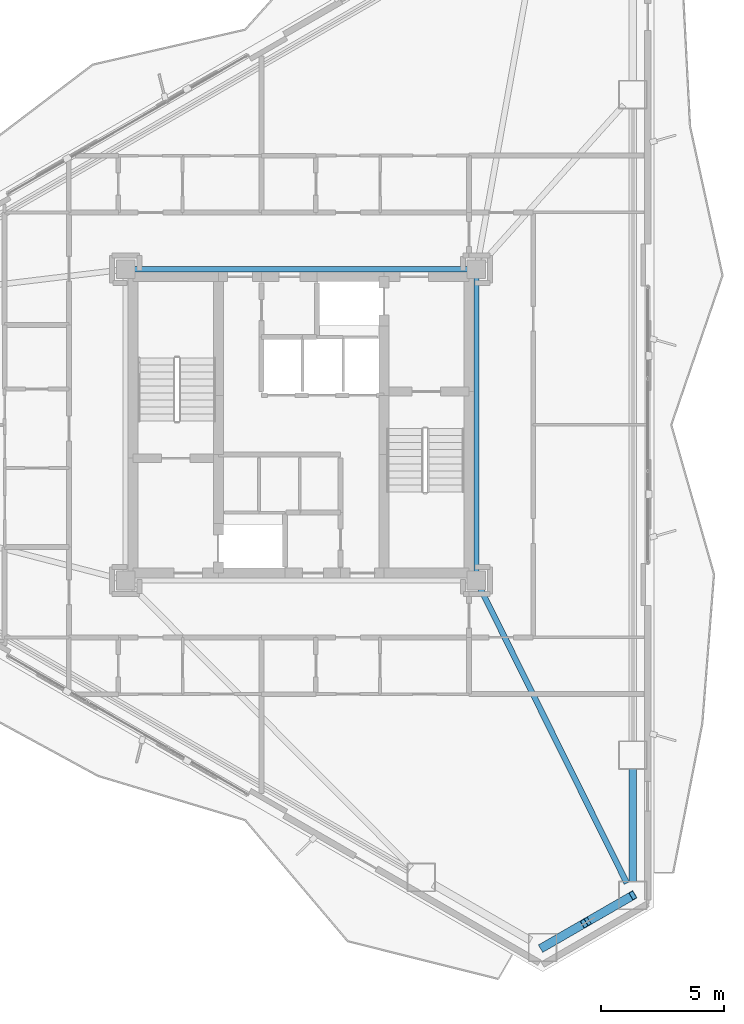
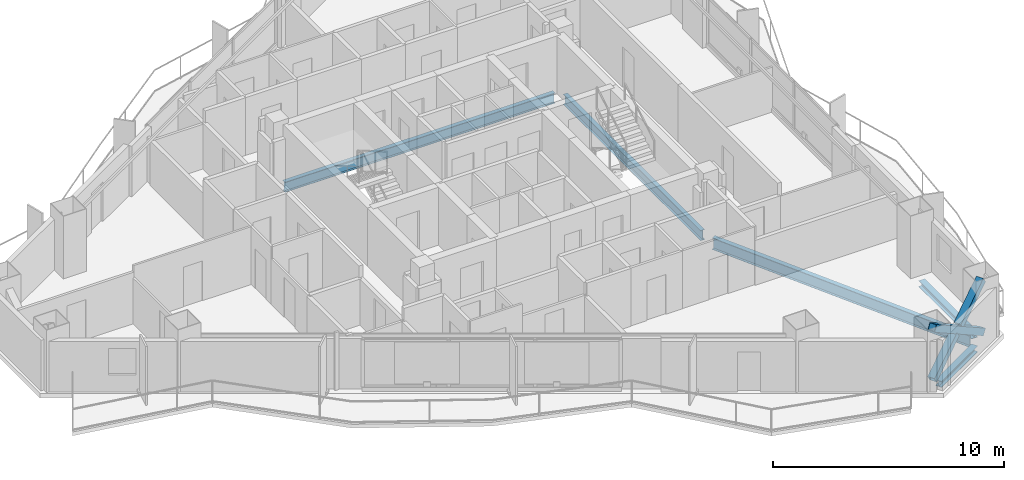
# One storey, part 7 of 23: 5 beams, 3 members.
"""IFC4 building model written with IfcOpenShell, lengths in metres."""

from ifc_helpers import new_model, si_unit, direction, frame, origin, origin_2d, place, context, subcontext, project, spatial, hollow_rectangle, i_section, extrude, material, material_profile, profile_set, type_object, element, save


model = new_model("IFC4")

# Units and contexts
model_context = context("Model", 3, precision=1e-05, world=origin(), true_north=direction((0.0, 1.0)))
body_context = subcontext(model_context, "Body", "Model", "MODEL_VIEW")
ifc_project = project(units=[si_unit("LENGTHUNIT", "METRE"), si_unit("AREAUNIT", "SQUARE_METRE"), si_unit("VOLUMEUNIT", "CUBIC_METRE"), si_unit("PLANEANGLEUNIT", "RADIAN"), si_unit("MASSUNIT", "GRAM", prefix="KILO")], contexts=[model_context])

# Site, building, storey
site_placement = place(None, origin())
site = spatial("IfcSite", under=ifc_project, at=site_placement, CompositionType="ELEMENT")
building_placement = place(site_placement, origin())
building = spatial("IfcBuilding", under=site, at=building_placement, Name="Mersakhor Tower and Convention Hall", CompositionType="ELEMENT")
storey_placement = place(building_placement, frame((0.0, 0.0, 96.60009765625)))
storey = spatial("IfcBuildingStorey", under=building, at=storey_placement, Name="L26", CompositionType="ELEMENT", Elevation=96.60009765625)

# Beams
ifc_material_1 = material(Name="Steel S355", Category="steel")
ifc_material_profile_1 = material_profile(ifc_material_1, i_section(OverallWidth=0.2099609375, OverallDepth=0.53662109375, WebThickness=0.0107421875, FlangeThickness=0.017333984375, at=origin_2d()), Name="UB 533x210x101")
ifc_profile_set_1 = profile_set([ifc_material_profile_1], Name="Steel S355")
beam_type_1 = type_object("IfcBeamType", Name="BM-FB-533", PredefinedType="BEAM", material=ifc_profile_set_1)
beam_1_placement = place(storey_placement, frame((22.2548828125, 33.050048828125, -0.5185546875), z_axis=(1.0, 0.0, 0.0), x_axis=(0.0, 1.0, 0.0)))
element("IfcBeam", 1, at=beam_1_placement, inside=storey, type_object=beam_type_1, Name="L26 Core Ring Tie Beam CRB-2", PredefinedType="BEAM", context=body_context, shape_type="SweptSolid", body=[
    extrude(i_section(OverallWidth=0.2099609375, OverallDepth=0.53662109375, WebThickness=0.0107421875, FlangeThickness=0.017333984375, at=origin_2d()), origin(), (0.0, 0.0, 1.0), 13.490234375),
])
beam_2_placement = place(storey_placement, frame((36.10009765625, 32.695068359375, -0.5185546875), z_axis=(0.0, -1.0, 0.0), x_axis=(1.0, 0.0, 0.0)))
element("IfcBeam", 2, at=beam_2_placement, inside=storey, type_object=beam_type_1, Name="L26 Core Ring Tie Beam CRB-3", PredefinedType="BEAM", context=body_context, shape_type="SweptSolid", body=[
    extrude(i_section(OverallWidth=0.2099609375, OverallDepth=0.53662109375, WebThickness=0.0107421875, FlangeThickness=0.017333984375, at=origin_2d()), origin(), (0.0, 0.0, 1.0), 11.89013671875),
])
ifc_material_2 = material(Name="Steel S355", Category="steel")
ifc_material_profile_2 = material_profile(ifc_material_2, i_section(OverallWidth=0.22900390625, OverallDepth=0.6123046875, WebThickness=0.011962890625, FlangeThickness=0.01953125, at=origin_2d()), Name="UB 610x229x125")
ifc_profile_set_2 = profile_set([ifc_material_profile_2], Name="Steel S355")
beam_type_2 = type_object("IfcBeamType", Name="BM-PR-610", PredefinedType="BEAM", material=ifc_profile_set_2)
beam_3_placement = place(storey_placement, frame((36.258056640625, 20.132080078125, -0.55615234375), z_axis=(0.444984263658, -0.895538388399, 0.0), x_axis=(0.895538388399, 0.444984263658, 0.0)))
element("IfcBeam", 3, at=beam_3_placement, inside=storey, type_object=beam_type_2, Name="L26 Primary Floor Girder FG-4", PredefinedType="BEAM", context=body_context, shape_type="SweptSolid", body=[
    extrude(i_section(OverallWidth=0.22900390625, OverallDepth=0.6123046875, WebThickness=0.011962890625, FlangeThickness=0.01953125, at=origin_2d()), origin(), (0.0, 0.0, 1.0), 13.324951171875),
])
ifc_material_3 = material(Name="Steel S355", Category="steel")
ifc_material_profile_3 = material_profile(ifc_material_3, i_section(OverallWidth=0.30908203125, OverallDepth=0.320556640625, WebThickness=0.013916015625, FlangeThickness=0.021728515625, at=origin_2d()), Name="UC 305x305x137")
ifc_profile_set_3 = profile_set([ifc_material_profile_3], Name="Steel S355")
beam_type_3 = type_object("IfcBeamType", Name="BM-SPD-UC305", PredefinedType="SPANDREL", material=ifc_profile_set_3)
beam_4_placement = place(storey_placement, frame((42.4345703125, 12.8232421875, -0.410400390625), z_axis=(0.0, -1.0, 0.0), x_axis=(1.0, 0.0, 0.0)))
element("IfcBeam", 4, at=beam_4_placement, inside=storey, type_object=beam_type_3, Name="L26 Perimeter Spandrel Beam SPB-07", PredefinedType="SPANDREL", context=body_context, shape_type="SweptSolid", body=[
    extrude(i_section(OverallWidth=0.30908203125, OverallDepth=0.320556640625, WebThickness=0.013916015625, FlangeThickness=0.021728515625, at=origin_2d()), origin(), (0.0, 0.0, 1.0), 4.566162109375),
])
beam_5_placement = place(storey_placement, frame((41.9541015625, 7.424560546875, -0.410400390625), z_axis=(-0.866052319632, -0.499953377486, 0.0), x_axis=(0.499953377486, -0.866052319632, 0.0)))
element("IfcBeam", 5, at=beam_5_placement, inside=storey, type_object=beam_type_3, Name="L26 Perimeter Spandrel Beam SPB-08", PredefinedType="SPANDREL", context=body_context, shape_type="SweptSolid", body=[
    extrude(i_section(OverallWidth=0.30908203125, OverallDepth=0.320556640625, WebThickness=0.013916015625, FlangeThickness=0.021728515625, at=origin_2d()), origin(), (0.0, 0.0, 1.0), 3.111572265625),
])

# Members
ifc_material_4 = material(Name="Steel S460", Category="steel")
ifc_material_profile_4 = material_profile(ifc_material_4, hollow_rectangle(XDim=0.35009765625, YDim=0.35009765625, WallThickness=0.02001953125, at=origin_2d()), Name="SHS 350x350x20")
ifc_profile_set_4 = profile_set([ifc_material_profile_4], Name="Steel S460")
member_type = type_object("IfcMemberType", Name="MB-BRC-SHS350", PredefinedType="BRACE", material=ifc_profile_set_4)
member_placement = place(storey_placement, frame((42.4345703125, 7.701904296875, 0.14990234375), z_axis=(-0.725633725484, -0.418933054415, 0.545848689986), x_axis=(0.49998946241, -0.866031487579, 0.0)))
element("IfcMember", 6, at=member_placement, inside=storey, type_object=member_type, Name="L26 Chamfer Braced Frame Diagonal CB-2A", PredefinedType="BRACE", context=body_context, shape_type="SweptSolid", body=[
    extrude(hollow_rectangle(XDim=0.35009765625, YDim=0.35009765625, WallThickness=0.02001953125, at=origin_2d()), origin(), (0.0, 0.0, 1.0), 5.0380859375),
])
for number, where, z_axis, x_axis, name in (
    (7, (38.77880859375, 5.59130859375, 0.14990234375), (0.725635037856, 0.418918980369, 0.545857746783), (-0.499976186015, 0.866039152359, 0.0), "L26 Chamfer Braced Frame Diagonal CB-2B Lower Half"),
    (8, (40.751220703125, 6.730224609375, 1.6337890625), (0.725684866011, 0.418886985747, 0.545816057307), (-0.499921796684, 0.866070549782, 0.0), "L26 Chamfer Braced Frame Diagonal CB-2B Upper Half"),
):
    element("IfcMember", number, at=place(storey_placement, frame(where, z_axis=z_axis, x_axis=x_axis)), inside=storey, type_object=member_type, Name=name, PredefinedType="BRACE", context=body_context, shape_type="SweptSolid", body=[
        extrude(hollow_rectangle(XDim=0.35009765625, YDim=0.35009765625, WallThickness=0.02001953125, at=origin_2d()), origin(), (0.0, 0.0, 1.0), 2.319580078125),
    ])

save(model, "model.ifc")
